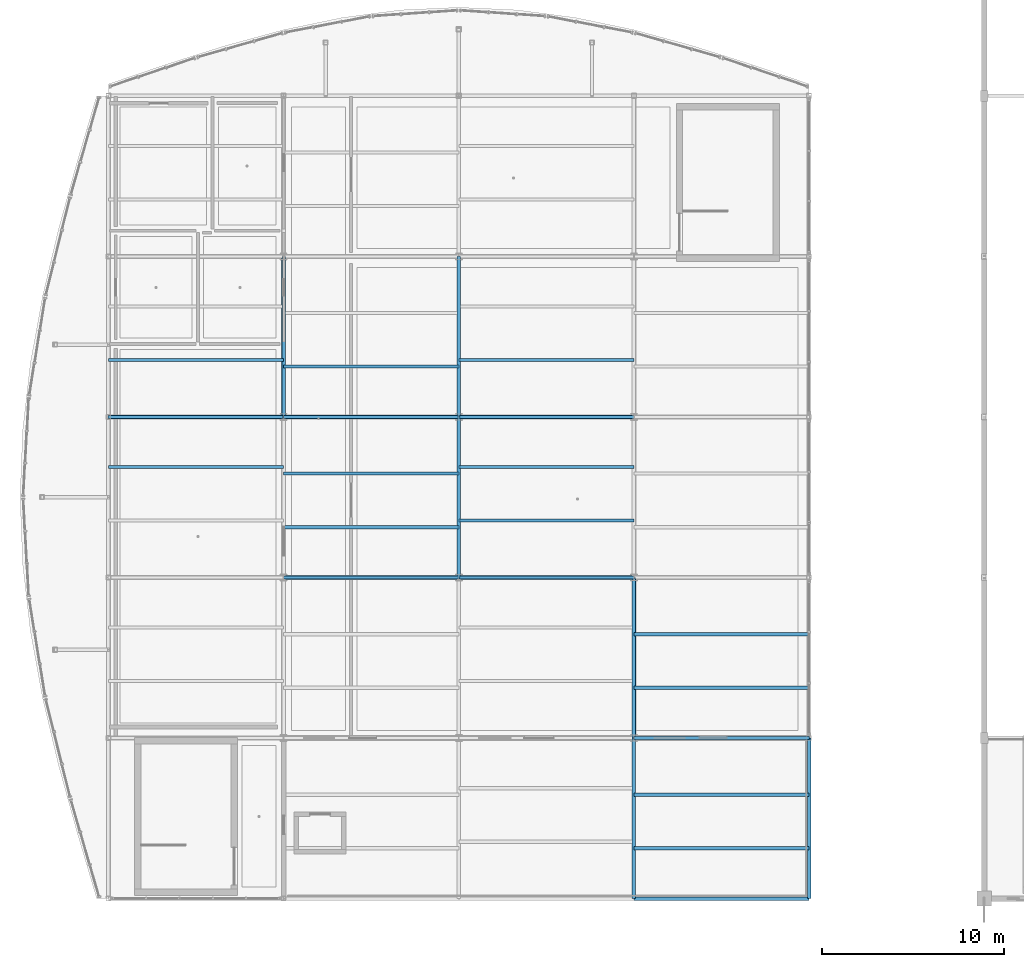
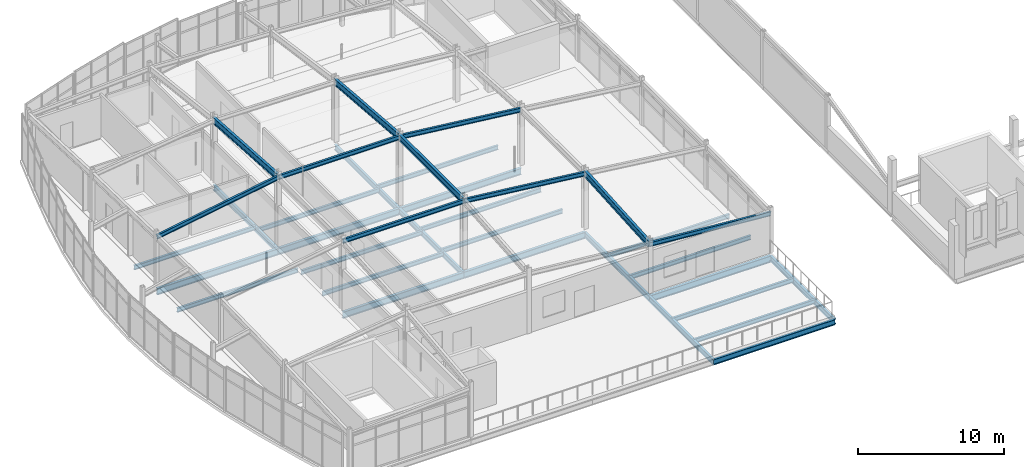
# One storey, part 22 of 114: 29 beams, 6 members.
"""IFC4 building model written with IfcOpenShell, lengths in metres."""

import ifcopenshell
import ifcopenshell.guid

model = None  # the IFC model being written
_history = None  # IfcOwnerHistory: only IFC2X3 demands one
_inside = {}  # id of a spatial element -> (the spatial element, [elements in it])
_under = {}  # id of a project, library or spatial element -> (it, [spatial elements below it])
_declared = {}  # id of a project -> (the project, [libraries it declares])
_typed = {}  # id of a type object -> (the type object, [elements of that type])
_made_of = {}  # id of a material, layer set ... -> (it, [elements and type objects made of it])


def new_model(schema):
    """Start an empty IFC model of exactly this schema.

    Asked for "IFC4X3", IfcOpenShell would pick the latest addendum, in which some entities
    have other attributes; the version numbers below select the first issue.
    IFC2X3 requires an IfcOwnerHistory on every rooted entity: one is made here for all.
    """
    global model, _history
    if schema == "IFC4X3":
        model = ifcopenshell.file(schema_version=(4, 3, 0, 0))
    else:
        model = ifcopenshell.file(schema=schema)
    _inside.clear()
    _under.clear()
    _declared.clear()
    _typed.clear()
    _made_of.clear()
    _history = None
    if model.schema == "IFC2X3":
        org = make("IfcOrganization", Name="unknown")
        user = make(
            "IfcPersonAndOrganization",
            ThePerson=make("IfcPerson", FamilyName="unknown"),
            TheOrganization=org,
        )
        app = make(
            "IfcApplication",
            ApplicationDeveloper=org,
            Version="unknown",
            ApplicationFullName="unknown",
            ApplicationIdentifier="unknown",
        )
        _history = make(
            "IfcOwnerHistory",
            OwningUser=user,
            OwningApplication=app,
            ChangeAction="ADDED",
            CreationDate=0,
        )
    return model


def make(cls, **values):
    """One entity of the class cls with the attributes given. An attribute that is None is left unset."""
    return model.create_entity(
        cls, **{name: value for name, value in values.items() if value is not None}
    )


def rooted(cls, **values):
    """An entity with a GlobalId (a new one), such as an element, a storey or a relation."""
    return make(cls, GlobalId=ifcopenshell.guid.new(), OwnerHistory=_history, **values)


def si_unit(unit_type, name, prefix=None):
    """IfcSIUnit, for example si_unit("LENGTHUNIT", "METRE", prefix="MILLI")."""
    return make("IfcSIUnit", UnitType=unit_type, Prefix=prefix, Name=name)


def assignment(units):
    """IfcUnitAssignment: the units of a project."""
    return None if units is None else make("IfcUnitAssignment", Units=units)


def point(xyz):
    """IfcCartesianPoint."""
    return None if xyz is None else make("IfcCartesianPoint", Coordinates=xyz)


def direction(xyz):
    """IfcDirection."""
    return None if xyz is None else make("IfcDirection", DirectionRatios=xyz)


def frame(location, z_axis=None, x_axis=None):
    """IfcAxis2Placement3D, a coordinate frame: its origin and axes. An axis left out is left unset."""
    return make(
        "IfcAxis2Placement3D",
        Location=point(location),
        Axis=direction(z_axis),
        RefDirection=direction(x_axis),
    )


def frame_2d(location, x_axis=None):
    """IfcAxis2Placement2D, a coordinate frame in the plane: its origin and x axis."""
    return make(
        "IfcAxis2Placement2D", Location=point(location), RefDirection=direction(x_axis)
    )


def origin():
    """The frame at (0, 0, 0) with its axes left unset."""
    return frame((0.0, 0.0, 0.0))


def origin_2d():
    """The frame at (0, 0) in the plane with its x axis left unset."""
    return frame_2d((0.0, 0.0))


def place(relative_to, where):
    """IfcLocalPlacement: puts the frame where relative to a parent placement (None: the world)."""
    return make(
        "IfcLocalPlacement", PlacementRelTo=relative_to, RelativePlacement=where
    )


def context(
    kind, dimensions, precision=None, world=None, true_north=None, identifier=None
):
    """IfcGeometricRepresentationContext, for example the 3D "Model" context."""
    return make(
        "IfcGeometricRepresentationContext",
        ContextIdentifier=identifier,
        ContextType=kind,
        CoordinateSpaceDimension=dimensions,
        Precision=precision,
        WorldCoordinateSystem=world,
        TrueNorth=true_north,
    )


def subcontext(parent, identifier, kind, view, scale=None):
    """IfcGeometricRepresentationSubContext, for example "Body" below "Model"."""
    return make(
        "IfcGeometricRepresentationSubContext",
        ContextIdentifier=identifier,
        ContextType=kind,
        ParentContext=parent,
        TargetScale=scale,
        TargetView=view,
    )


def project(units=None, contexts=None):
    """IfcProject with its units and contexts."""
    return rooted(
        "IfcProject",
        Name="project",
        RepresentationContexts=contexts,
        UnitsInContext=assignment(units),
    )


def spatial(cls, under=None, at=None, **own):
    """A site, building, storey or space (cls), placed at a placement, below another one or the project."""
    s = rooted(cls, ObjectPlacement=at, **own)
    if under is not None:
        _under.setdefault(under.id(), (under, []))[1].append(s)
    return s


def profile(cls, at=None, kind="AREA", **sizes):
    """A parametric profile (cls). Its sizes go by their IFC names, for example OverallWidth=200.0."""
    return make(cls, ProfileType=kind, Position=at, **sizes)


def i_section(**sizes):
    """IfcIShapeProfileDef."""
    return profile("IfcIShapeProfileDef", **sizes)


def extrude(swept, where, along, depth):
    """IfcExtrudedAreaSolid: the profile swept, set in the frame where, extruded along a direction by depth."""
    return make(
        "IfcExtrudedAreaSolid",
        SweptArea=swept,
        Position=where,
        ExtrudedDirection=direction(along),
        Depth=depth,
    )


def shape(context_of_items, identifier, shape_type, items):
    """IfcShapeRepresentation: the items that make up one representation, for example the "Body"."""
    return make(
        "IfcShapeRepresentation",
        ContextOfItems=context_of_items,
        RepresentationIdentifier=identifier,
        RepresentationType=shape_type,
        Items=items,
    )


def material(Name=None, Category=None):
    """IfcMaterial."""
    return make("IfcMaterial", Name=Name, Category=Category)


def material_profile(
    of_material, cross_section, Name=None, Category=None, Priority=None
):
    """IfcMaterialProfile: a cross section and its material."""
    return make(
        "IfcMaterialProfile",
        Name=Name,
        Material=of_material,
        Profile=cross_section,
        Priority=Priority,
        Category=Category,
    )


def profile_set(profiles, Name=None, composite=None):
    """IfcMaterialProfileSet."""
    return make(
        "IfcMaterialProfileSet",
        Name=Name,
        MaterialProfiles=profiles,
        CompositeProfile=composite,
    )


def made_of(thing, what):
    """Note that an element or type object is made of a material, layer set ...; save() writes the relation."""
    if what is not None:
        _made_of.setdefault(what.id(), (what, []))[1].append(thing)
    return thing


def type_object(cls, material=None, **own):
    """A type object (cls), such as IfcWallType, which elements share."""
    return made_of(rooted(cls, **own), material)


def element(
    cls,
    number,
    at=None,
    inside=None,
    cuts=None,
    type_object=None,
    material=None,
    context=None,
    identifier="Body",
    shape_type=None,
    held_by="IfcProductDefinitionShape",
    body=None,
    shapes=None,
    **own,
):
    """One element of the class cls, such as IfcWall. Its Tag is "e" and its number.

    at: its placement. inside: the storey or other place that contains it. cuts: it is an
    opening in that element (IfcRelVoidsElement). A single representation is given by context,
    identifier, shape_type and body (its items); several are given by shapes. held_by: the class
    of the entity that holds the representations. save() writes the other relations.
    """
    e = rooted(cls, Tag="e%d" % number, ObjectPlacement=at, **own)
    if body is not None:
        shapes = [shape(context, identifier, shape_type, body)]
    if shapes is not None:
        e.Representation = make(held_by, Representations=shapes)
    if inside is not None:
        _inside.setdefault(inside.id(), (inside, []))[1].append(e)
    if cuts is not None:
        rooted(
            "IfcRelVoidsElement", RelatingBuildingElement=cuts, RelatedOpeningElement=e
        )
    if type_object is not None:
        _typed.setdefault(type_object.id(), (type_object, []))[1].append(e)
    return made_of(e, material)


def aggregate(whole, parts):
    """IfcRelAggregates: a whole, such as a stair, and the parts it consists of."""
    return rooted("IfcRelAggregates", RelatingObject=whole, RelatedObjects=parts)


def save(model, path):
    """Write the relations noted so far, then the file.

    IfcRelAggregates (storeys below a building ...), IfcRelContainedInSpatialStructure (elements
    in a storey), IfcRelDefinesByType, IfcRelAssociatesMaterial and IfcRelDeclares: one each for
    every whole, place, type object, material and project.
    """
    for whole, parts in _under.values():
        aggregate(whole, parts)
    for where, things in _inside.values():
        rooted(
            "IfcRelContainedInSpatialStructure",
            RelatedElements=things,
            RelatingStructure=where,
        )
    for kind, things in _typed.values():
        rooted("IfcRelDefinesByType", RelatedObjects=things, RelatingType=kind)
    for what, things in _made_of.values():
        rooted("IfcRelAssociatesMaterial", RelatedObjects=things, RelatingMaterial=what)
    for by, libraries in _declared.values():
        rooted("IfcRelDeclares", RelatingContext=by, RelatedDefinitions=libraries)
    model.write(path)


model = new_model("IFC4")

# Units and contexts
model_context = context("Model", 3, precision=1e-05, world=origin(), true_north=direction((0.0, 1.0)))
body_context = subcontext(model_context, "Body", "Model", "MODEL_VIEW")
ifc_project = project(units=[si_unit("LENGTHUNIT", "METRE"), si_unit("AREAUNIT", "SQUARE_METRE"), si_unit("VOLUMEUNIT", "CUBIC_METRE"), si_unit("PLANEANGLEUNIT", "RADIAN"), si_unit("MASSUNIT", "GRAM", prefix="KILO")], contexts=[model_context])

# Site, building, storey
site_placement = place(None, origin())
site = spatial("IfcSite", under=ifc_project, at=site_placement, CompositionType="ELEMENT")
building_placement = place(site_placement, origin())
building = spatial("IfcBuilding", under=site, at=building_placement, Name="Chalmorin Arch Market", CompositionType="ELEMENT")
storey_placement = place(building_placement, frame((0.0, 0.0, 9.60009765625)))
storey = spatial("IfcBuildingStorey", under=building, at=storey_placement, Name="L02", CompositionType="ELEMENT", Elevation=9.60009765625)

# Beams
ifc_material = material(Name="Steel A992 Grade 50", Category="steel")
ifc_material_profile_1 = material_profile(ifc_material, i_section(OverallWidth=0.19091796875, OverallDepth=0.45703125, WebThickness=0.009033203125, FlangeThickness=0.014404296875, FilletRadius=0.02001953125, at=origin_2d()), Name="W18X50")
ifc_profile_set_1 = profile_set([ifc_material_profile_1], Name="Steel A992 Grade 50")
beam_type_1 = type_object("IfcBeamType", Name="FloorSteelBeam-W18X50", PredefinedType="BEAM", material=ifc_profile_set_1)
beam_1_placement = place(storey_placement, frame((9.60009765625, 32.39990234375, -0.480712890625), z_axis=(0.0, 1.0, 0.0), x_axis=(-1.0, 0.0, 0.0)))
element("IfcBeam", 1, at=beam_1_placement, inside=storey, type_object=beam_type_1, Name="BM-W18B-1146", PredefinedType="BEAM", context=body_context, shape_type="SweptSolid", body=[
    extrude(i_section(OverallWidth=0.19091796875, OverallDepth=0.45703125, WebThickness=0.009033203125, FlangeThickness=0.014404296875, FilletRadius=0.02001953125, at=origin_2d()), origin(), (0.0, 0.0, 1.0), 8.800048828125),
])
beam_2_placement = place(storey_placement, frame((19.199951171875, 23.60009765625, -0.480712890625), z_axis=(0.0, 1.0, 0.0), x_axis=(-1.0, 0.0, 0.0)))
element("IfcBeam", 2, at=beam_2_placement, inside=storey, type_object=beam_type_1, Name="BM-W18B-1156", PredefinedType="BEAM", context=body_context, shape_type="SweptSolid", body=[
    extrude(i_section(OverallWidth=0.19091796875, OverallDepth=0.45703125, WebThickness=0.009033203125, FlangeThickness=0.014404296875, FilletRadius=0.02001953125, at=origin_2d()), origin(), (0.0, 0.0, 1.0), 8.7998046875),
])
for number, where, z_axis, x_axis, name in (
    (3, (19.199951171875, 32.39990234375, -0.480712890625), (0.0, 1.0, 0.0), (-1.0, 0.0, 0.0), "BM-W18B-1158"),
    (4, (28.800048828125, 6.0, -0.490478515625), (0.0, 1.0, 0.0), (-1.0, 0.0, 0.0), "BM-W18B-1163"),
    (5, (28.800048828125, 14.800048828125, -0.490478515625), (0.0, 1.0, 0.0), (-1.0, 0.0, 0.0), "BM-W18B-1165"),
):
    element("IfcBeam", number, at=place(storey_placement, frame(where, z_axis=z_axis, x_axis=x_axis)), inside=storey, type_object=beam_type_1, Name=name, PredefinedType="BEAM", context=body_context, shape_type="SweptSolid", body=[
        extrude(i_section(OverallWidth=0.19091796875, OverallDepth=0.45703125, WebThickness=0.009033203125, FlangeThickness=0.014404296875, FilletRadius=0.02001953125, at=origin_2d()), origin(), (0.0, 0.0, 1.0), 8.800048828125),
    ])
ifc_material_profile_2 = material_profile(ifc_material, i_section(OverallWidth=0.19091796875, OverallDepth=0.45703125, WebThickness=0.009033203125, FlangeThickness=0.014404296875, FilletRadius=0.02001953125, at=origin_2d()), Name="W18X50")
ifc_profile_set_2 = profile_set([ifc_material_profile_2], Name="Steel A992 Grade 50")
beam_type_2 = type_object("IfcBeamType", Name="PerimeterSpandrelBeam-W18X50", PredefinedType="SPANDREL", material=ifc_profile_set_2)
beam_3_placement = place(storey_placement, frame((28.800048828125, 6.0, -0.490478515625), z_axis=(1.0, 0.0, 0.0), x_axis=(0.0, 1.0, 0.0)))
element("IfcBeam", 6, at=beam_3_placement, inside=storey, type_object=beam_type_2, Name="SP-W18-1172", PredefinedType="SPANDREL", context=body_context, shape_type="SweptSolid", body=[
    extrude(i_section(OverallWidth=0.19091796875, OverallDepth=0.45703125, WebThickness=0.009033203125, FlangeThickness=0.014404296875, FilletRadius=0.02001953125, at=origin_2d()), origin(), (0.0, 0.0, 1.0), 9.599853515625),
])
beam_4_placement = place(storey_placement, frame((38.39990234375, 6.0, -0.490478515625), z_axis=(0.0, 1.0, 0.0), x_axis=(-1.0, 0.0, 0.0)))
element("IfcBeam", 7, at=beam_4_placement, inside=storey, type_object=beam_type_2, Name="SP-W18-1174", PredefinedType="SPANDREL", context=body_context, shape_type="SweptSolid", body=[
    extrude(i_section(OverallWidth=0.19091796875, OverallDepth=0.45703125, WebThickness=0.009033203125, FlangeThickness=0.014404296875, FilletRadius=0.02001953125, at=origin_2d()), origin(), (0.0, 0.0, 1.0), 8.800048828125),
])
ifc_material_profile_3 = material_profile(ifc_material, i_section(OverallWidth=0.208984375, OverallDepth=0.532958984375, WebThickness=0.01025390625, FlangeThickness=0.015625, FilletRadius=0.02197265625, at=origin_2d()), Name="W21X62")
ifc_profile_set_3 = profile_set([ifc_material_profile_3], Name="Steel A992 Grade 50")
beam_type_3 = type_object("IfcBeamType", Name="PrimarySteelGirder-W21X62", PredefinedType="BEAM", material=ifc_profile_set_3)
beam_5_placement = place(storey_placement, frame((9.60009765625, 32.39990234375, 5.683837890625), z_axis=(0.0, 0.997865267617, -0.065306260683), x_axis=(-1.0, 0.0, 0.0)))
element("IfcBeam", 8, at=beam_5_placement, inside=storey, type_object=beam_type_3, Name="BG-W21B-1531", PredefinedType="BEAM", context=body_context, shape_type="SweptSolid", body=[
    extrude(i_section(OverallWidth=0.208984375, OverallDepth=0.532958984375, WebThickness=0.01025390625, FlangeThickness=0.015625, FilletRadius=0.02197265625, at=origin_2d()), origin(), (0.0, 0.0, 1.0), 8.81884765625),
])
beam_6_placement = place(storey_placement, frame((19.199951171875, 23.60009765625, 5.679931640625), z_axis=(0.0, 0.999999580887, 0.00091554728), x_axis=(-1.0, 0.0, 0.0)))
element("IfcBeam", 9, at=beam_6_placement, inside=storey, type_object=beam_type_3, Name="BG-W21B-1534", PredefinedType="BEAM", context=body_context, shape_type="SweptSolid", body=[
    extrude(i_section(OverallWidth=0.208984375, OverallDepth=0.532958984375, WebThickness=0.01025390625, FlangeThickness=0.015625, FilletRadius=0.02197265625, at=origin_2d()), origin(), (0.0, 0.0, 1.0), 8.7998046875),
])
beam_7_placement = place(storey_placement, frame((19.199951171875, 32.39990234375, 5.68798828125), z_axis=(0.0, 0.99667889326, -0.081432080473), x_axis=(-1.0, 0.0, 0.0)))
element("IfcBeam", 10, at=beam_7_placement, inside=storey, type_object=beam_type_3, Name="BG-W21B-1535", PredefinedType="BEAM", context=body_context, shape_type="SweptSolid", body=[
    extrude(i_section(OverallWidth=0.208984375, OverallDepth=0.532958984375, WebThickness=0.01025390625, FlangeThickness=0.015625, FilletRadius=0.02197265625, at=origin_2d()), origin(), (0.0, 0.0, 1.0), 8.829345703125),
])
beam_8_placement = place(storey_placement, frame((28.800048828125, 14.800048828125, 4.032958984375), z_axis=(0.0, 0.997783320202, 0.066546569615), x_axis=(-1.0, 0.0, 0.0)))
element("IfcBeam", 11, at=beam_8_placement, inside=storey, type_object=beam_type_3, Name="BG-W21B-1537", PredefinedType="BEAM", context=body_context, shape_type="SweptSolid", body=[
    extrude(i_section(OverallWidth=0.208984375, OverallDepth=0.532958984375, WebThickness=0.01025390625, FlangeThickness=0.015625, FilletRadius=0.02197265625, at=origin_2d()), origin(), (0.0, 0.0, 1.0), 8.819580078125),
])
ifc_material_profile_4 = material_profile(ifc_material, i_section(OverallWidth=0.2119140625, OverallDepth=0.5439453125, WebThickness=0.01318359375, FlangeThickness=0.021240234375, FilletRadius=0.02197265625, at=origin_2d()), Name="W21X83")
ifc_profile_set_4 = profile_set([ifc_material_profile_4], Name="Steel A992 Grade 50")
beam_type_4 = type_object("IfcBeamType", Name="PrimarySteelGirder-W21X83", PredefinedType="BEAM", material=ifc_profile_set_4)
beam_9_placement = place(storey_placement, frame((0.0, 32.39990234375, -0.524169921875), z_axis=(1.0, 0.0, 0.0), x_axis=(0.0, 1.0, 0.0)))
element("IfcBeam", 12, at=beam_9_placement, inside=storey, type_object=beam_type_4, Name="BG-W21A-1141", PredefinedType="BEAM", context=body_context, shape_type="SweptSolid", body=[
    extrude(i_section(OverallWidth=0.2119140625, OverallDepth=0.5439453125, WebThickness=0.01318359375, FlangeThickness=0.021240234375, FilletRadius=0.02197265625, at=origin_2d()), origin(), (0.0, 0.0, 1.0), 9.60009765625),
])
for number, where, z_axis, x_axis, name in (
    (13, (9.60009765625, 23.60009765625, -0.524169921875), (1.0, 0.0, 0.0), (0.0, 1.0, 0.0), "BG-W21A-1153"),
    (14, (9.60009765625, 32.39990234375, -0.524169921875), (1.0, 0.0, 0.0), (0.0, 1.0, 0.0), "BG-W21A-1155"),
):
    element("IfcBeam", number, at=place(storey_placement, frame(where, z_axis=z_axis, x_axis=x_axis)), inside=storey, type_object=beam_type_4, Name=name, PredefinedType="BEAM", context=body_context, shape_type="SweptSolid", body=[
        extrude(i_section(OverallWidth=0.2119140625, OverallDepth=0.5439453125, WebThickness=0.01318359375, FlangeThickness=0.021240234375, FilletRadius=0.02197265625, at=origin_2d()), origin(), (0.0, 0.0, 1.0), 9.599853515625),
    ])
for number, where, z_axis, x_axis, name in (
    (15, (19.199951171875, 23.60009765625, -0.524169921875), (1.0, 0.0, 0.0), (0.0, 1.0, 0.0), "BG-W21A-1164"),
    (16, (19.199951171875, 32.39990234375, -0.524169921875), (1.0, 0.0, 0.0), (0.0, 1.0, 0.0), "BG-W21A-1166"),
):
    element("IfcBeam", number, at=place(storey_placement, frame(where, z_axis=z_axis, x_axis=x_axis)), inside=storey, type_object=beam_type_4, Name=name, PredefinedType="BEAM", context=body_context, shape_type="SweptSolid", body=[
        extrude(i_section(OverallWidth=0.2119140625, OverallDepth=0.5439453125, WebThickness=0.01318359375, FlangeThickness=0.021240234375, FilletRadius=0.02197265625, at=origin_2d()), origin(), (0.0, 0.0, 1.0), 9.60009765625),
    ])
beam_10_placement = place(storey_placement, frame((28.800048828125, 14.800048828125, -0.5341796875), z_axis=(1.0, 0.0, 0.0), x_axis=(0.0, 1.0, 0.0)))
element("IfcBeam", 17, at=beam_10_placement, inside=storey, type_object=beam_type_4, Name="BG-W21A-1173", PredefinedType="BEAM", context=body_context, shape_type="SweptSolid", body=[
    extrude(i_section(OverallWidth=0.2119140625, OverallDepth=0.5439453125, WebThickness=0.01318359375, FlangeThickness=0.021240234375, FilletRadius=0.02197265625, at=origin_2d()), origin(), (0.0, 0.0, 1.0), 9.599853515625),
])

# Members
ifc_material_profile_5 = material_profile(ifc_material, i_section(OverallWidth=0.1708984375, OverallDepth=0.35107421875, WebThickness=0.0068359375, FlangeThickness=0.009765625, FilletRadius=0.014892578125, at=origin_2d()), Name="W14X30")
ifc_profile_set_5 = profile_set([ifc_material_profile_5], Name="Steel A992 Grade 50")
member_type = type_object("IfcMemberType", Name="RoofSteelPurlin-W14X30", PredefinedType="PURLIN", material=ifc_profile_set_5)
member_1_placement = place(storey_placement, frame((28.800048828125, 14.800048828125, 3.992919921875), z_axis=(0.996848803977, 0.0, -0.079325040249), x_axis=(0.0, 1.0, 0.0)))
element("IfcMember", 18, at=member_1_placement, inside=storey, type_object=member_type, Name="PR-W14-0019", PredefinedType="PURLIN", context=body_context, shape_type="SweptSolid", body=[
    extrude(i_section(OverallWidth=0.1708984375, OverallDepth=0.35107421875, WebThickness=0.0068359375, FlangeThickness=0.009765625, FilletRadius=0.014892578125, at=origin_2d()), origin(), (0.0, 0.0, 1.0), 9.630126953125),
])
member_2_placement = place(storey_placement, frame((9.60009765625, 23.60009765625, 5.636962890625), z_axis=(0.999999953432, 0.0, 0.000305180424), x_axis=(0.0, 1.0, 0.0)))
element("IfcMember", 19, at=member_2_placement, inside=storey, type_object=member_type, Name="PR-W14-0021", PredefinedType="PURLIN", context=body_context, shape_type="SweptSolid", body=[
    extrude(i_section(OverallWidth=0.1708984375, OverallDepth=0.35107421875, WebThickness=0.0068359375, FlangeThickness=0.009765625, FilletRadius=0.014892578125, at=origin_2d()), origin(), (0.0, 0.0, 1.0), 9.599853515625),
])
member_3_placement = place(storey_placement, frame((19.199951171875, 23.60009765625, 5.639892578125), z_axis=(0.993958719877, 0.0, -0.109754558815), x_axis=(0.0, 1.0, 0.0)))
element("IfcMember", 20, at=member_3_placement, inside=storey, type_object=member_type, Name="PR-W14-0022", PredefinedType="PURLIN", context=body_context, shape_type="SweptSolid", body=[
    extrude(i_section(OverallWidth=0.1708984375, OverallDepth=0.35107421875, WebThickness=0.0068359375, FlangeThickness=0.009765625, FilletRadius=0.014892578125, at=origin_2d()), origin(), (0.0, 0.0, 1.0), 9.658447265625),
])
member_4_placement = place(storey_placement, frame((0.0, 32.39990234375, 4.02392578125), z_axis=(0.986061187945, 0.0, 0.166383092976), x_axis=(0.0, 1.0, 0.0)))
element("IfcMember", 21, at=member_4_placement, inside=storey, type_object=member_type, Name="PR-W14-0024", PredefinedType="PURLIN", context=body_context, shape_type="SweptSolid", body=[
    extrude(i_section(OverallWidth=0.1708984375, OverallDepth=0.35107421875, WebThickness=0.0068359375, FlangeThickness=0.009765625, FilletRadius=0.014892578125, at=origin_2d()), origin(), (0.0, 0.0, 1.0), 9.73583984375),
])
member_5_placement = place(storey_placement, frame((9.60009765625, 32.39990234375, 5.643798828125), z_axis=(0.999999906542, 0.0, 0.000432338913), x_axis=(0.0, 1.0, 0.0)))
element("IfcMember", 22, at=member_5_placement, inside=storey, type_object=member_type, Name="PR-W14-0025", PredefinedType="PURLIN", context=body_context, shape_type="SweptSolid", body=[
    extrude(i_section(OverallWidth=0.1708984375, OverallDepth=0.35107421875, WebThickness=0.0068359375, FlangeThickness=0.009765625, FilletRadius=0.014892578125, at=origin_2d()), origin(), (0.0, 0.0, 1.0), 9.599853515625),
])
member_6_placement = place(storey_placement, frame((19.199951171875, 32.39990234375, 5.64794921875), z_axis=(0.993947684773, 0.0, -0.109854448859), x_axis=(0.0, 1.0, 0.0)))
element("IfcMember", 23, at=member_6_placement, inside=storey, type_object=member_type, Name="PR-W14-0026", PredefinedType="PURLIN", context=body_context, shape_type="SweptSolid", body=[
    extrude(i_section(OverallWidth=0.1708984375, OverallDepth=0.35107421875, WebThickness=0.0068359375, FlangeThickness=0.009765625, FilletRadius=0.014892578125, at=origin_2d()), origin(), (0.0, 0.0, 1.0), 9.658447265625),
])

# Beams
ifc_material_profile_6 = material_profile(ifc_material, i_section(OverallWidth=0.1708984375, OverallDepth=0.35107421875, WebThickness=0.0068359375, FlangeThickness=0.009765625, FilletRadius=0.014892578125, at=origin_2d()), Name="W14X30")
ifc_profile_set_6 = profile_set([ifc_material_profile_6], Name="Steel A992 Grade 50")
beam_type_5 = type_object("IfcBeamType", Name="SecondaryFloorJoist-W14X30", PredefinedType="JOIST", material=ifc_profile_set_6)
for number, where, z_axis, x_axis, name in (
    (24, (0.0, 29.646728515625, -0.427490234375), (1.0, 0.0, 0.0), (0.0, 1.0, 0.0), "BJ-W14-1186"),
    (25, (0.0, 35.51318359375, -0.427490234375), (1.0, 0.0, 0.0), (0.0, 1.0, 0.0), "BJ-W14-1187"),
):
    element("IfcBeam", number, at=place(storey_placement, frame(where, z_axis=z_axis, x_axis=x_axis)), inside=storey, type_object=beam_type_5, Name=name, PredefinedType="JOIST", context=body_context, shape_type="SweptSolid", body=[
        extrude(i_section(OverallWidth=0.1708984375, OverallDepth=0.35107421875, WebThickness=0.0068359375, FlangeThickness=0.009765625, FilletRadius=0.014892578125, at=origin_2d()), origin(), (0.0, 0.0, 1.0), 9.60009765625),
    ])
for number, where, z_axis, x_axis, name in (
    (26, (9.60009765625, 26.353271484375, -0.427490234375), (1.0, 0.0, 0.0), (0.0, 1.0, 0.0), "BJ-W14-1195"),
    (27, (9.60009765625, 29.28662109375, -0.427490234375), (1.0, 0.0, 0.0), (0.0, 1.0, 0.0), "BJ-W14-1196"),
    (28, (9.60009765625, 35.1533203125, -0.427490234375), (1.0, 0.0, 0.0), (0.0, 1.0, 0.0), "BJ-W14-1197"),
):
    element("IfcBeam", number, at=place(storey_placement, frame(where, z_axis=z_axis, x_axis=x_axis)), inside=storey, type_object=beam_type_5, Name=name, PredefinedType="JOIST", context=body_context, shape_type="SweptSolid", body=[
        extrude(i_section(OverallWidth=0.1708984375, OverallDepth=0.35107421875, WebThickness=0.0068359375, FlangeThickness=0.009765625, FilletRadius=0.014892578125, at=origin_2d()), origin(), (0.0, 0.0, 1.0), 9.599853515625),
    ])
for number, where, z_axis, x_axis, name in (
    (29, (19.199951171875, 26.71337890625, -0.427490234375), (1.0, 0.0, 0.0), (0.0, 1.0, 0.0), "BJ-W14-1205"),
    (30, (19.199951171875, 29.646728515625, -0.427490234375), (1.0, 0.0, 0.0), (0.0, 1.0, 0.0), "BJ-W14-1206"),
    (31, (19.199951171875, 35.51318359375, -0.427490234375), (1.0, 0.0, 0.0), (0.0, 1.0, 0.0), "BJ-W14-1207"),
):
    element("IfcBeam", number, at=place(storey_placement, frame(where, z_axis=z_axis, x_axis=x_axis)), inside=storey, type_object=beam_type_5, Name=name, PredefinedType="JOIST", context=body_context, shape_type="SweptSolid", body=[
        extrude(i_section(OverallWidth=0.1708984375, OverallDepth=0.35107421875, WebThickness=0.0068359375, FlangeThickness=0.009765625, FilletRadius=0.014892578125, at=origin_2d()), origin(), (0.0, 0.0, 1.0), 9.60009765625),
    ])
for number, where, z_axis, x_axis, name in (
    (32, (28.800048828125, 8.75341796875, -0.4375), (1.0, 0.0, 0.0), (0.0, 1.0, 0.0), "BJ-W14-1211"),
    (33, (28.800048828125, 11.686767578125, -0.4375), (1.0, 0.0, 0.0), (0.0, 1.0, 0.0), "BJ-W14-1212"),
    (34, (28.800048828125, 17.55322265625, -0.427490234375), (1.0, 0.0, 0.0), (0.0, 1.0, 0.0), "BJ-W14-1213"),
    (35, (28.800048828125, 20.48681640625, -0.427490234375), (1.0, 0.0, 0.0), (0.0, 1.0, 0.0), "BJ-W14-1214"),
):
    element("IfcBeam", number, at=place(storey_placement, frame(where, z_axis=z_axis, x_axis=x_axis)), inside=storey, type_object=beam_type_5, Name=name, PredefinedType="JOIST", context=body_context, shape_type="SweptSolid", body=[
        extrude(i_section(OverallWidth=0.1708984375, OverallDepth=0.35107421875, WebThickness=0.0068359375, FlangeThickness=0.009765625, FilletRadius=0.014892578125, at=origin_2d()), origin(), (0.0, 0.0, 1.0), 9.599853515625),
    ])

save(model, "model.ifc")
